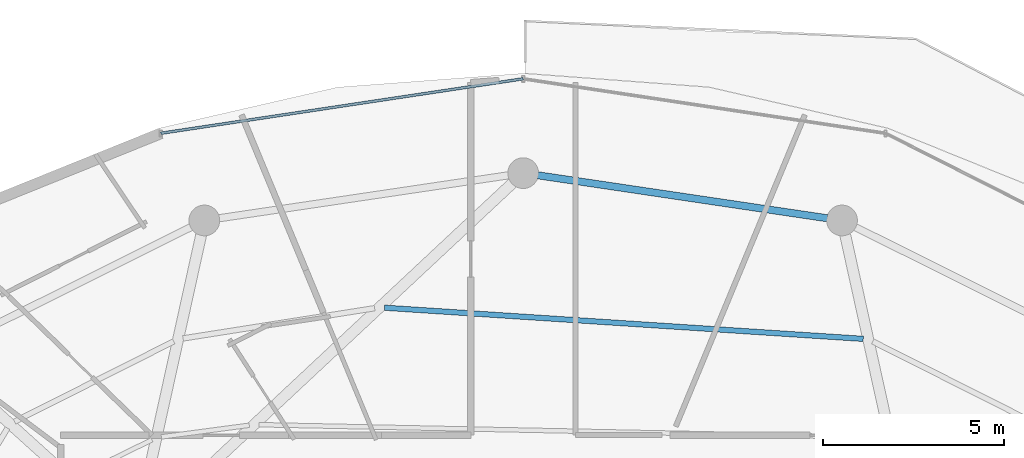
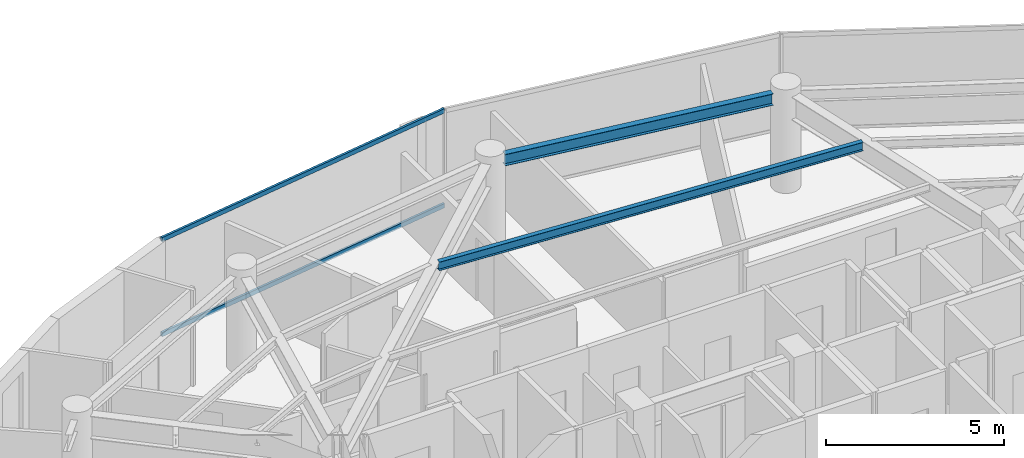
# One storey, part 19 of 31: 2 beams, 2 members, 1 element without a shape of its own.
"""IFC4 building model written with IfcOpenShell, lengths in metres."""

from ifc_helpers import new_model, si_unit, direction, frame, origin, origin_2d, place, context, subcontext, project, spatial, hollow_rectangle, i_section, extrude, material, material_profile, profile_set, type_object, element, aggregate, save


model = new_model("IFC4")

# Units and contexts
model_context = context("Model", 3, precision=1e-05, world=origin(), true_north=direction((0.0, 1.0)))
body_context = subcontext(model_context, "Body", "Model", "MODEL_VIEW")
ifc_project = project(units=[si_unit("LENGTHUNIT", "METRE"), si_unit("AREAUNIT", "SQUARE_METRE"), si_unit("VOLUMEUNIT", "CUBIC_METRE"), si_unit("PLANEANGLEUNIT", "RADIAN"), si_unit("MASSUNIT", "GRAM", prefix="KILO")], contexts=[model_context])

# Site, building, storey
site_placement = place(None, origin())
site = spatial("IfcSite", under=ifc_project, at=site_placement, CompositionType="ELEMENT")
building_placement = place(site_placement, origin())
building = spatial("IfcBuilding", under=site, at=building_placement, Name="Vorneva Point Tower", CompositionType="ELEMENT")
storey_placement = place(building_placement, frame((0.0, 0.0, 248.449951171875)))
storey = spatial("IfcBuildingStorey", under=building, at=storey_placement, Name="L67", CompositionType="ELEMENT", Elevation=248.449951171875)

# Beams
ifc_material_1 = material(Name="Steel S355", Category="steel")
ifc_material_profile_1 = material_profile(ifc_material_1, i_section(OverallWidth=0.14892578125, OverallDepth=0.298095703125, WebThickness=0.005615234375, FlangeThickness=0.008056640625, at=origin_2d()), Name="30B1")
ifc_profile_set_1 = profile_set([ifc_material_profile_1], Name="Steel S355")
beam_type_1 = type_object("IfcBeamType", Name="BM-JST-30B1", PredefinedType="JOIST", material=ifc_profile_set_1)
beam_1_placement = place(storey_placement, frame((47.408203125, 38.614501953125, 3.14111328125), z_axis=(-0.997889548282, 0.064934193066, 0.0), x_axis=(-0.064934193066, -0.997889548282, 0.0)))
element("IfcBeam", 1, at=beam_1_placement, inside=storey, type_object=beam_type_1, Name="L67 Secondary Floor Beam 1.04", PredefinedType="JOIST", context=body_context, shape_type="SweptSolid", body=[
    extrude(i_section(OverallWidth=0.14892578125, OverallDepth=0.298095703125, WebThickness=0.005615234375, FlangeThickness=0.008056640625, at=origin_2d()), origin(), (0.0, 0.0, 1.0), 13.272216796875),
])
ifc_material_profile_2 = material_profile(ifc_material_1, i_section(OverallWidth=0.198974609375, OverallDepth=0.39599609375, WebThickness=0.007080078125, FlangeThickness=0.010986328125, at=origin_2d()), Name="40B1")
ifc_profile_set_2 = profile_set([ifc_material_profile_2], Name="Steel S355")
beam_type_2 = type_object("IfcBeamType", Name="BM-SPN-40B1", PredefinedType="SPANDREL", material=ifc_profile_set_2)
beam_2_placement = place(storey_placement, frame((46.415283203125, 41.950927734375, 3.092041015625), z_axis=(-0.989161657331, 0.146830567886, 0.0), x_axis=(-0.146830567886, -0.989161657331, 0.0)))
element("IfcBeam", 2, at=beam_2_placement, inside=storey, type_object=beam_type_2, Name="L67 Perimeter Spandrel Ring Beam 04", PredefinedType="SPANDREL", context=body_context, shape_type="SweptSolid", body=[
    extrude(i_section(OverallWidth=0.198974609375, OverallDepth=0.39599609375, WebThickness=0.007080078125, FlangeThickness=0.010986328125, at=origin_2d()), origin(), (0.0, 0.0, 1.0), 8.097412109375),
])

# Curtain wall, members
ifc_material_2 = material(Name="Pale anodised aluminium", Category="aluminium")
curtain_wall_type = type_object("IfcCurtainWallType", Name="CW-RES-SYS", PredefinedType="NOTDEFINED", material=ifc_material_2)
curtain_wall_placement = place(storey_placement, origin())
curtain_wall = element("IfcCurtainWall", 3, at=curtain_wall_placement, inside=storey, type_object=curtain_wall_type, Name="L67 Unitised Curtain Wall CW-L67-R02", PredefinedType="NOTDEFINED")
ifc_material_profile_3 = material_profile(ifc_material_2, hollow_rectangle(XDim=0.074951171875, YDim=0.14990234375, WallThickness=0.00390625, at=origin_2d()), Name="AL-TRN 150x75x4")
ifc_profile_set_3 = profile_set([ifc_material_profile_3], Name="Pale anodised aluminium")
member_type = type_object("IfcMemberType", Name="CW-TRN-150", PredefinedType="USERDEFINED", material=ifc_profile_set_3)
member_1_placement = place(storey_placement, frame((38.0, 45.81005859375, 0.02001953125), z_axis=(-0.988876929856, -0.148736066907, 0.0), x_axis=(0.148736066907, -0.988876929856, 0.0)))
member_1 = element("IfcMember", 4, at=member_1_placement, type_object=member_type, Name="CW-L67-R02 Transom 03.1", ObjectType="TRANSOM", PredefinedType="USERDEFINED", context=body_context, shape_type="SweptSolid", body=[
    extrude(hollow_rectangle(XDim=0.074951171875, YDim=0.14990234375, WallThickness=0.00390625, at=origin_2d()), origin(), (0.0, 0.0, 1.0), 10.13916015625),
])
member_2_placement = place(storey_placement, frame((38.0, 45.81005859375, 3.27001953125), z_axis=(-0.988876929856, -0.148736066907, 0.0), x_axis=(0.148736066907, -0.988876929856, 0.0)))
member_2 = element("IfcMember", 5, at=member_2_placement, type_object=member_type, Name="CW-L67-R02 Transom 03.2", ObjectType="TRANSOM", PredefinedType="USERDEFINED", context=body_context, shape_type="SweptSolid", body=[
    extrude(hollow_rectangle(XDim=0.074951171875, YDim=0.14990234375, WallThickness=0.00390625, at=origin_2d()), origin(), (0.0, 0.0, 1.0), 10.13916015625),
])
aggregate(curtain_wall, [member_1, member_2])

save(model, "model.ifc")
